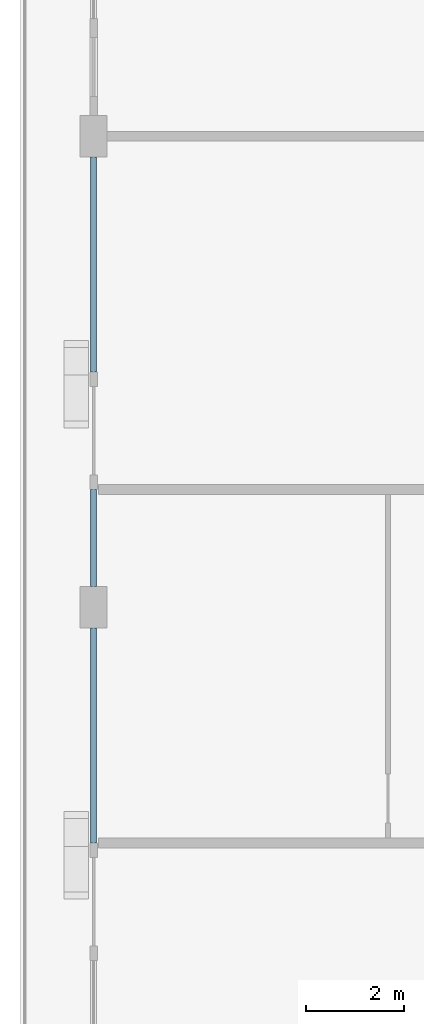
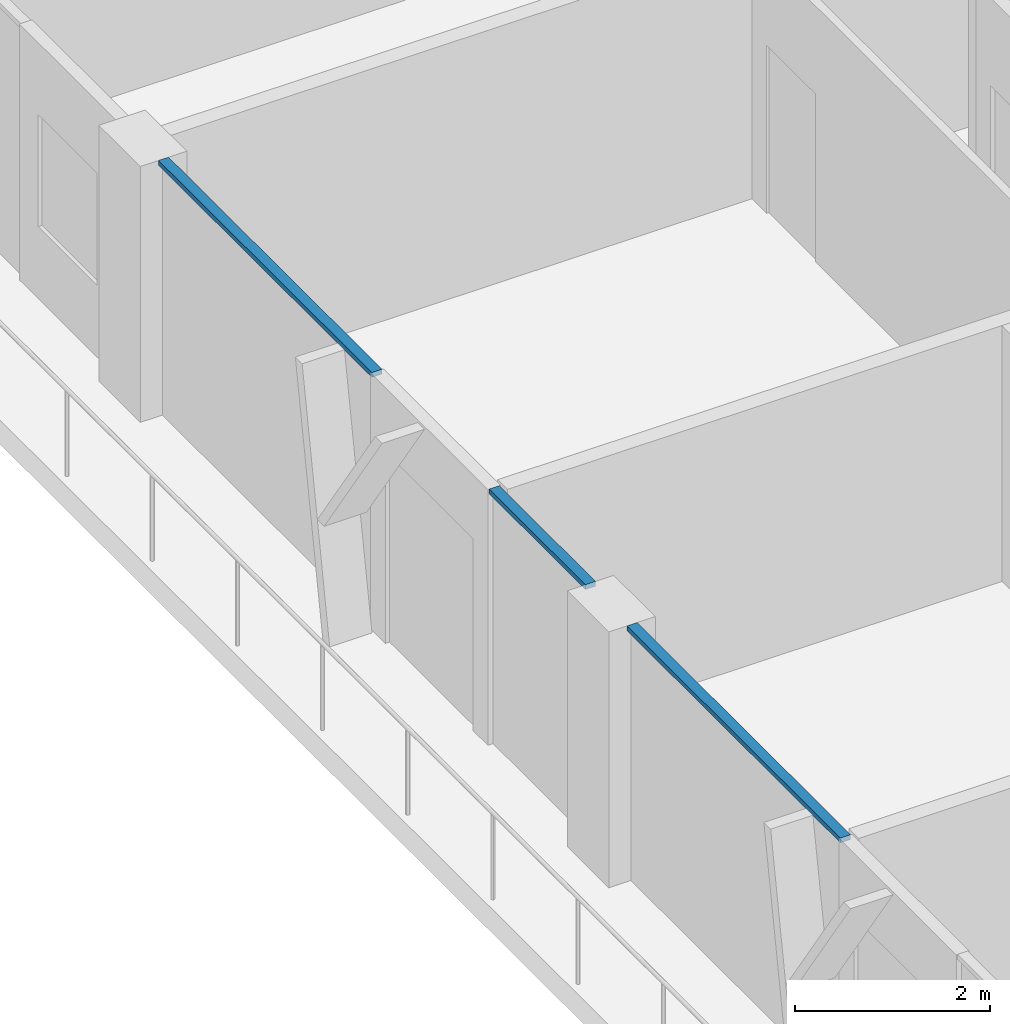
# One storey, part 3 of 21: 3 members, 2 elements without a shape of their own.
"""IFC4 building model written with IfcOpenShell, lengths in metres."""

from ifc_helpers import new_model, si_unit, direction, frame, origin, origin_2d, place, context, subcontext, project, spatial, rectangle, extrude, material, layer, layer_set, material_profile, profile_set, type_object, element, aggregate, save


model = new_model("IFC4")

# Units and contexts
model_context = context("Model", 3, precision=1e-05, world=origin(), true_north=direction((0.0, 1.0)))
body_context = subcontext(model_context, "Body", "Model", "MODEL_VIEW")
ifc_project = project(units=[si_unit("LENGTHUNIT", "METRE"), si_unit("AREAUNIT", "SQUARE_METRE"), si_unit("VOLUMEUNIT", "CUBIC_METRE"), si_unit("PLANEANGLEUNIT", "RADIAN"), si_unit("MASSUNIT", "GRAM", prefix="KILO")], contexts=[model_context])

# Site, building, storey
site_placement = place(None, origin())
site = spatial("IfcSite", under=ifc_project, at=site_placement, CompositionType="ELEMENT")
building_placement = place(site_placement, origin())
building = spatial("IfcBuilding", under=site, at=building_placement, Name="Madar Terraces", CompositionType="ELEMENT")
storey_placement = place(building_placement, frame((0.0, 0.0, 252.699951171875)))
storey = spatial("IfcBuildingStorey", under=building, at=storey_placement, Name="L66", CompositionType="ELEMENT", Elevation=252.699951171875)

# Curtain wall, members
ifc_material_1 = material(Name="Glass, ceramic frit dark grey, with black aluminium frame", Category="aluminium")
ifc_layer = layer(ifc_material_1, 0.199951171875)
ifc_layer_set = layer_set([ifc_layer], Name="Facade curtain wall, fritted glass")
curtain_wall_type = type_object("IfcCurtainWallType", Name="Facade curtain wall, fritted glass", PredefinedType="NOTDEFINED", material=ifc_layer_set)
curtain_wall_1_placement = place(storey_placement, origin())
curtain_wall_1 = element("IfcCurtainWall", 1, at=curtain_wall_1_placement, inside=storey, type_object=curtain_wall_type, Name="Outer skin curtain wall west bay 2", PredefinedType="NOTDEFINED")
ifc_material_2 = material(Name="Aluminium, black anodised", Category="aluminium")
ifc_material_profile = material_profile(ifc_material_2, rectangle(XDim=0.1201171875, YDim=0.06005859375, at=origin_2d()), Name="Facade transom 60x120")
ifc_profile_set = profile_set([ifc_material_profile], Name="Aluminium, black anodised")
member_type = type_object("IfcMemberType", Name="Facade transom 60x120", PredefinedType="USERDEFINED", material=ifc_profile_set)
member_1_placement = place(storey_placement, frame((0.0, 37.97509765625, 3.170166015625), z_axis=(0.0, -1.0, 0.0), x_axis=(1.0, 0.0, 0.0)))
member_1 = element("IfcMember", 2, at=member_1_placement, type_object=member_type, Name="Transom 1", ObjectType="TRANSOM", PredefinedType="USERDEFINED", context=body_context, shape_type="SweptSolid", body=[
    extrude(rectangle(XDim=0.1201171875, YDim=0.06005859375, at=origin_2d()), origin(), (0.0, 0.0, 1.0), 4.375),
])
member_2_placement = place(storey_placement, frame((0.0, 31.199951171875, 3.170166015625), z_axis=(0.0, -1.0, 0.0), x_axis=(1.0, 0.0, 0.0)))
member_2 = element("IfcMember", 3, at=member_2_placement, type_object=member_type, Name="Transom 2", ObjectType="TRANSOM", PredefinedType="USERDEFINED", context=body_context, shape_type="SweptSolid", body=[
    extrude(rectangle(XDim=0.1201171875, YDim=0.06005859375, at=origin_2d()), origin(), (0.0, 0.0, 1.0), 1.974853515625),
])
aggregate(curtain_wall_1, [member_1, member_2])

# Curtain wall, member
curtain_wall_2_placement = place(storey_placement, origin())
curtain_wall_2 = element("IfcCurtainWall", 4, at=curtain_wall_2_placement, inside=storey, type_object=curtain_wall_type, Name="Outer skin curtain wall west bay 3", PredefinedType="NOTDEFINED")
member_3_placement = place(storey_placement, frame((0.0, 28.375, 3.170166015625), z_axis=(0.0, -1.0, 0.0), x_axis=(1.0, 0.0, 0.0)))
member_3 = element("IfcMember", 5, at=member_3_placement, type_object=member_type, Name="Transom 1", ObjectType="TRANSOM", PredefinedType="USERDEFINED", context=body_context, shape_type="SweptSolid", body=[
    extrude(rectangle(XDim=0.1201171875, YDim=0.06005859375, at=origin_2d()), origin(), (0.0, 0.0, 1.0), 4.375),
])
aggregate(curtain_wall_2, [member_3])

save(model, "model.ifc")
